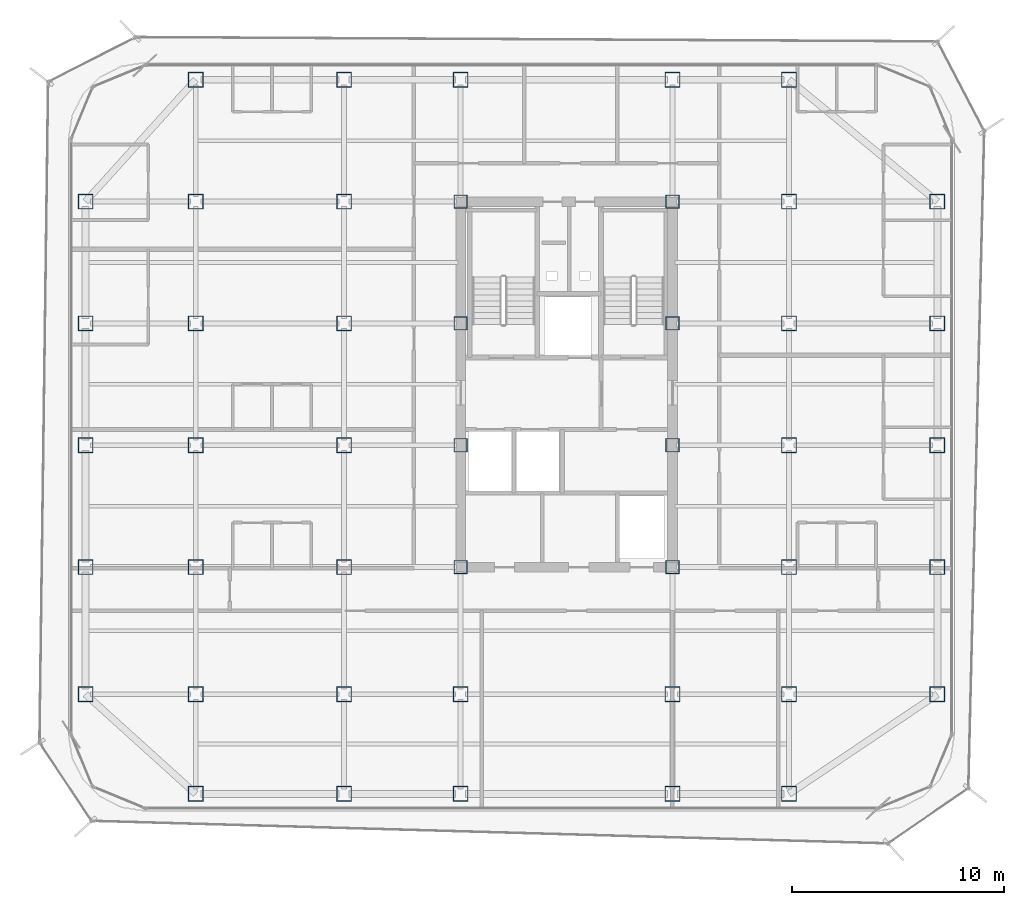
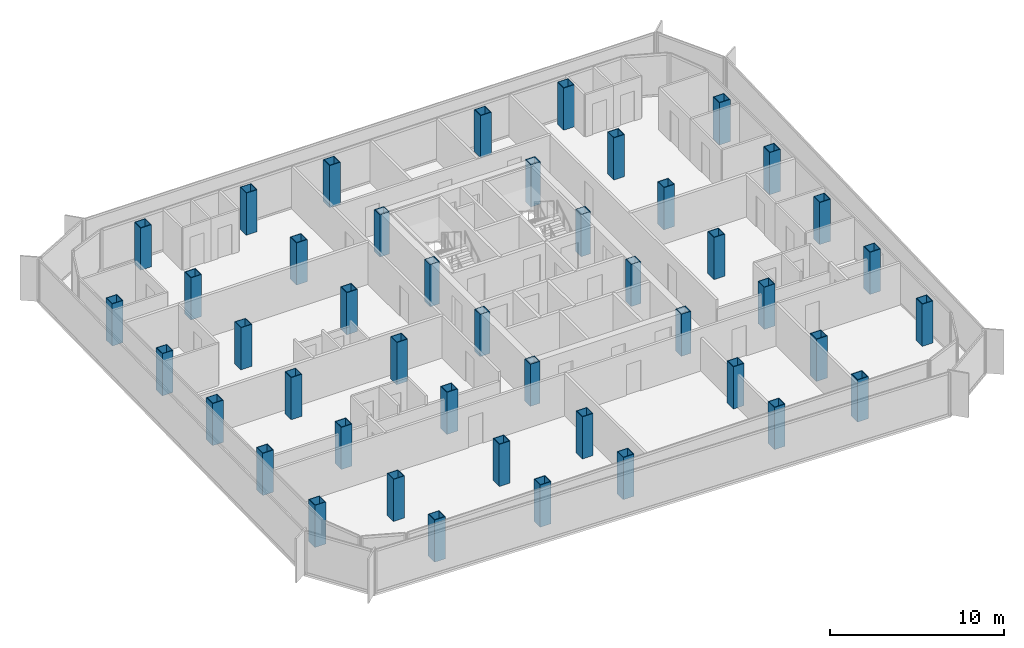
# One storey, part 1 of 15: 45 columns.
"""IFC4 building model written with IfcOpenShell, lengths in metres."""

from ifc_helpers import new_model, si_unit, direction, frame, origin, origin_2d, place, context, subcontext, project, spatial, hollow_rectangle, extrude, source, transform, mapped, material, material_profile, profile_set, type_object, element, save


model = new_model("IFC4")

# Units and contexts
model_context = context("Model", 3, precision=1e-05, world=origin(), true_north=direction((0.0, 1.0)))
body_context = subcontext(model_context, "Body", "Model", "MODEL_VIEW")
ifc_project = project(units=[si_unit("LENGTHUNIT", "METRE"), si_unit("AREAUNIT", "SQUARE_METRE"), si_unit("VOLUMEUNIT", "CUBIC_METRE"), si_unit("PLANEANGLEUNIT", "RADIAN"), si_unit("MASSUNIT", "GRAM", prefix="KILO")], contexts=[model_context])

# Site, building, storey
site_placement = place(None, origin())
site = spatial("IfcSite", under=ifc_project, at=site_placement, CompositionType="ELEMENT")
building_placement = place(site_placement, origin())
building = spatial("IfcBuilding", under=site, at=building_placement, Name="Kolveth Station Tower", CompositionType="ELEMENT")
storey_placement = place(building_placement, frame((0.0, 0.0, 168.89990234375)))
storey = spatial("IfcBuildingStorey", under=building, at=storey_placement, Name="L47", CompositionType="ELEMENT", Elevation=168.89990234375)

# Columns
ifc_material = material(Name="Steel S355", Category="steel")
ifc_material_profile_1 = material_profile(ifc_material, hollow_rectangle(XDim=0.719970703125, YDim=0.719970703125, WallThickness=0.0400390625, at=origin_2d()), Name="BOX720x720x40")
ifc_profile_set_1 = profile_set([ifc_material_profile_1], Name="Steel S355")
column_type_1 = type_object("IfcColumnType", Name="Col_C6", PredefinedType="COLUMN", material=ifc_profile_set_1)
shared_shape_1 = source(origin(), body_context, "Body", "SweptSolid", [
    extrude(hollow_rectangle(XDim=0.719970703125, YDim=0.719970703125, WallThickness=0.0400390625, at=origin_2d()), origin(), (0.0, 0.0, 1.0), 2.9501953125),
])
for number, where, z_axis, x_axis, name in (
    (1, (6.0, 0.800048828125, 0.0), (0.0, 0.0, 1.0), (1.0, 0.0, 0.0), "L47 Tower Column S-X60"),
    (2, (6.0, 34.5, 0.0), (0.0, 0.0, 1.0), (1.0, 0.0, 0.0), "L47 Tower Column N-X60"),
    (3, (13.0, 0.800048828125, 0.0), (0.0, 0.0, 1.0), (1.0, 0.0, 0.0), "L47 Tower Column S-X130"),
    (4, (13.0, 34.5, 0.0), (0.0, 0.0, 1.0), (1.0, 0.0, 0.0), "L47 Tower Column N-X130"),
    (5, (18.5, 0.800048828125, 0.0), (0.0, 0.0, 1.0), (1.0, 0.0, 0.0), "L47 Tower Column S-X185"),
    (6, (18.5, 34.5, 0.0), (0.0, 0.0, 1.0), (1.0, 0.0, 0.0), "L47 Tower Column N-X185"),
    (7, (28.5, 0.800048828125, 0.0), (0.0, 0.0, 1.0), (1.0, 0.0, 0.0), "L47 Tower Column S-X285"),
    (8, (28.5, 34.5, 0.0), (0.0, 0.0, 1.0), (1.0, 0.0, 0.0), "L47 Tower Column N-X285"),
    (9, (34.0, 0.800048828125, 0.0), (0.0, 0.0, 1.0), (1.0, 0.0, 0.0), "L47 Tower Column S-X340"),
    (10, (34.0, 34.5, 0.0), (0.0, 0.0, 1.0), (1.0, 0.0, 0.0), "L47 Tower Column N-X340"),
    (11, (0.800048828125, 5.5, 0.0), (0.0, 0.0, 1.0), (1.0, 0.0, 0.0), "L47 Tower Column W-Y55"),
    (12, (41.0, 5.5, 0.0), (0.0, 0.0, 1.0), (1.0, 0.0, 0.0), "L47 Tower Column E-Y55"),
    (13, (0.800048828125, 11.5, 0.0), (0.0, 0.0, 1.0), (1.0, 0.0, 0.0), "L47 Tower Column W-Y115"),
    (14, (41.0, 11.5, 0.0), (0.0, 0.0, 1.0), (1.0, 0.0, 0.0), "L47 Tower Column E-Y115"),
    (15, (0.800048828125, 17.25, 0.0), (0.0, 0.0, 1.0), (1.0, 0.0, 0.0), "L47 Tower Column W-Y172"),
    (16, (41.0, 17.25, 0.0), (0.0, 0.0, 1.0), (1.0, 0.0, 0.0), "L47 Tower Column E-Y172"),
    (17, (0.800048828125, 23.0, 0.0), (0.0, 0.0, 1.0), (1.0, 0.0, 0.0), "L47 Tower Column W-Y230"),
    (18, (41.0, 23.0, 0.0), (0.0, 0.0, 1.0), (1.0, 0.0, 0.0), "L47 Tower Column E-Y230"),
    (19, (0.800048828125, 28.75, 0.0), (0.0, 0.0, 1.0), (1.0, 0.0, 0.0), "L47 Tower Column W-Y287"),
    (20, (41.0, 28.75, 0.0), (0.0, 0.0, 1.0), (1.0, 0.0, 0.0), "L47 Tower Column E-Y287"),
    (21, (6.0, 5.5, 0.0), (0.0, 0.0, 1.0), (1.0, 0.0, 0.0), "L47 Tower Column G-60-55"),
    (22, (6.0, 11.5, 0.0), (0.0, 0.0, 1.0), (1.0, 0.0, 0.0), "L47 Tower Column G-60-115"),
    (23, (6.0, 17.25, 0.0), (0.0, 0.0, 1.0), (1.0, 0.0, 0.0), "L47 Tower Column G-60-172"),
    (24, (6.0, 23.0, 0.0), (0.0, 0.0, 1.0), (1.0, 0.0, 0.0), "L47 Tower Column G-60-230"),
    (25, (6.0, 28.75, 0.0), (0.0, 0.0, 1.0), (1.0, 0.0, 0.0), "L47 Tower Column G-60-287"),
    (26, (13.0, 5.5, 0.0), (0.0, 0.0, 1.0), (1.0, 0.0, 0.0), "L47 Tower Column G-130-55"),
    (27, (13.0, 11.5, 0.0), (0.0, 0.0, 1.0), (1.0, 0.0, 0.0), "L47 Tower Column G-130-115"),
    (28, (13.0, 17.25, 0.0), (0.0, 0.0, 1.0), (1.0, 0.0, 0.0), "L47 Tower Column G-130-172"),
    (29, (13.0, 23.0, 0.0), (0.0, 0.0, 1.0), (1.0, 0.0, 0.0), "L47 Tower Column G-130-230"),
    (30, (13.0, 28.75, 0.0), (0.0, 0.0, 1.0), (1.0, 0.0, 0.0), "L47 Tower Column G-130-287"),
    (31, (18.5, 5.5, 0.0), (0.0, 0.0, 1.0), (1.0, 0.0, 0.0), "L47 Tower Column G-185-55"),
    (32, (28.5, 5.5, 0.0), (0.0, 0.0, 1.0), (1.0, 0.0, 0.0), "L47 Tower Column G-285-55"),
    (33, (34.0, 5.5, 0.0), (0.0, 0.0, 1.0), (1.0, 0.0, 0.0), "L47 Tower Column G-340-55"),
    (34, (34.0, 11.5, 0.0), (0.0, 0.0, 1.0), (1.0, 0.0, 0.0), "L47 Tower Column G-340-115"),
    (35, (34.0, 17.25, 0.0), (0.0, 0.0, 1.0), (1.0, 0.0, 0.0), "L47 Tower Column G-340-172"),
    (36, (34.0, 23.0, 0.0), (0.0, 0.0, 1.0), (1.0, 0.0, 0.0), "L47 Tower Column G-340-230"),
    (37, (34.0, 28.75, 0.0), (0.0, 0.0, 1.0), (1.0, 0.0, 0.0), "L47 Tower Column G-340-287"),
):
    element("IfcColumn", number, at=place(storey_placement, frame(where, z_axis=z_axis, x_axis=x_axis)), inside=storey, type_object=column_type_1, Name=name, PredefinedType="COLUMN", context=body_context, shape_type="MappedRepresentation", body=[
        mapped(shared_shape_1, transform((0.0, 0.0, 0.0), x_axis=(1.0, 0.0, 0.0), y_axis=(0.0, 1.0, 0.0), z_axis=(0.0, 0.0, 1.0), scale=1.0)),
    ])
ifc_material_profile_2 = material_profile(ifc_material, hollow_rectangle(XDim=0.639892578125, YDim=0.639892578125, WallThickness=0.034912109375, at=origin_2d()), Name="BOX640x640x35")
ifc_profile_set_2 = profile_set([ifc_material_profile_2], Name="Steel S355")
column_type_2 = type_object("IfcColumnType", Name="Col_C7", PredefinedType="COLUMN", material=ifc_profile_set_2)
shared_shape_2 = source(origin(), body_context, "Body", "SweptSolid", [
    extrude(hollow_rectangle(XDim=0.639892578125, YDim=0.639892578125, WallThickness=0.034912109375, at=origin_2d()), origin(), (0.0, 0.0, 1.0), 2.9501953125),
])
for number, where, z_axis, x_axis, name in (
    (38, (18.5, 11.5, 0.0), (0.0, 0.0, 1.0), (1.0, 0.0, 0.0), "L47 Tower Column G-185-115"),
    (39, (18.5, 17.25, 0.0), (0.0, 0.0, 1.0), (1.0, 0.0, 0.0), "L47 Tower Column G-185-172"),
    (40, (18.5, 23.0, 0.0), (0.0, 0.0, 1.0), (1.0, 0.0, 0.0), "L47 Tower Column G-185-230"),
    (41, (18.5, 28.75, 0.0), (0.0, 0.0, 1.0), (1.0, 0.0, 0.0), "L47 Tower Column G-185-287"),
    (42, (28.5, 11.5, 0.0), (0.0, 0.0, 1.0), (1.0, 0.0, 0.0), "L47 Tower Column G-285-115"),
    (43, (28.5, 17.25, 0.0), (0.0, 0.0, 1.0), (1.0, 0.0, 0.0), "L47 Tower Column G-285-172"),
    (44, (28.5, 23.0, 0.0), (0.0, 0.0, 1.0), (1.0, 0.0, 0.0), "L47 Tower Column G-285-230"),
    (45, (28.5, 28.75, 0.0), (0.0, 0.0, 1.0), (1.0, 0.0, 0.0), "L47 Tower Column G-285-287"),
):
    element("IfcColumn", number, at=place(storey_placement, frame(where, z_axis=z_axis, x_axis=x_axis)), inside=storey, type_object=column_type_2, Name=name, PredefinedType="COLUMN", context=body_context, shape_type="MappedRepresentation", body=[
        mapped(shared_shape_2, transform((0.0, 0.0, 0.0), x_axis=(1.0, 0.0, 0.0), y_axis=(0.0, 1.0, 0.0), z_axis=(0.0, 0.0, 1.0), scale=1.0)),
    ])

save(model, "model.ifc")
